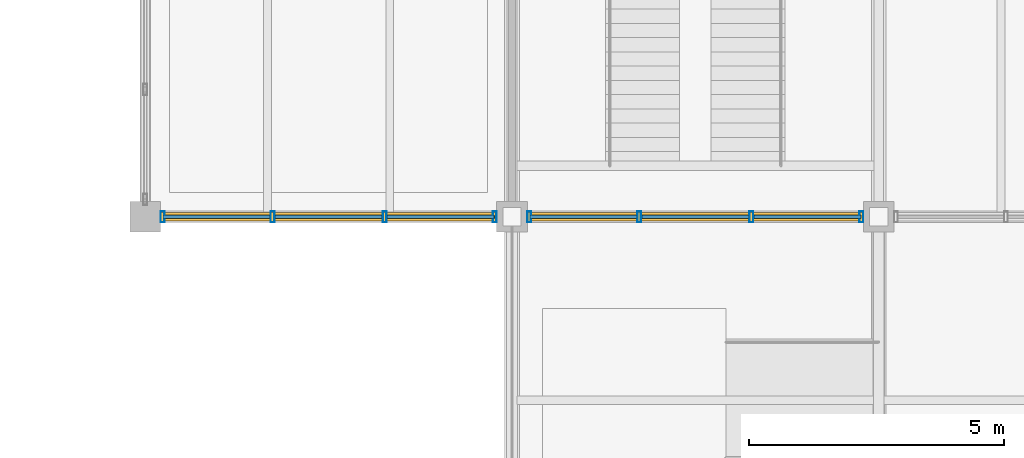
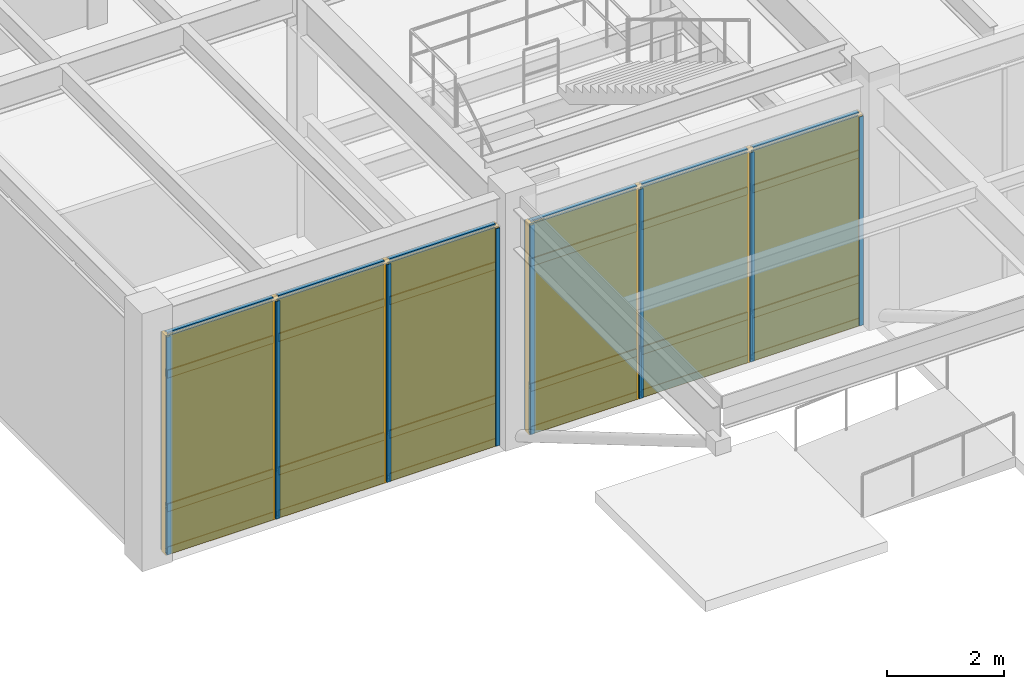
# One storey, part 53 of 97: 32 members, 12 plates, 2 curtain walls.
"""IFC4 building model written with IfcOpenShell, lengths in metres."""

from ifc_helpers import new_model, si_unit, direction, frame, origin, origin_2d, place, context, subcontext, project, spatial, rectangle, hollow_rectangle, extrude, material, layer, layer_set, material_profile, profile_set, type_object, element, aggregate, save


model = new_model("IFC4")

# Units and contexts
model_context = context("Model", 3, precision=1e-05, world=origin(), true_north=direction((0.0, 1.0)))
body_context = subcontext(model_context, "Body", "Model", "MODEL_VIEW")
ifc_project = project(units=[si_unit("LENGTHUNIT", "METRE"), si_unit("AREAUNIT", "SQUARE_METRE"), si_unit("VOLUMEUNIT", "CUBIC_METRE"), si_unit("PLANEANGLEUNIT", "RADIAN"), si_unit("MASSUNIT", "GRAM", prefix="KILO")], contexts=[model_context])

# Member
ifc_material_1 = material(Name="Anodized Aluminium 6063-T6", Category="aluminium")
ifc_material_profile_1 = material_profile(ifc_material_1, hollow_rectangle(XDim=0.074951171875, YDim=0.219970703125, WallThickness=0.0048828125, at=origin_2d()), Name="ALU 75x220x5")
ifc_profile_set_1 = profile_set([ifc_material_profile_1], Name="Anodized Aluminium 6063-T6")
member_type_1 = type_object("IfcMemberType", Name="CWM-75X180", PredefinedType="MULLION", material=ifc_profile_set_1)
site_placement = place(None, origin())
building_placement = place(site_placement, origin())
storey_placement = place(building_placement, origin())
member_1_placement = place(storey_placement, frame((71.659912109375, 7.199951171875, 0.02001953125), z_axis=(0.0, 0.0, 1.0), x_axis=(1.0, 0.0, 0.0)))
member_1 = element("IfcMember", 1, at=member_1_placement, type_object=member_type_1, Name="Curtain wall mullion CW-L01-09-01-S-00", PredefinedType="MULLION", context=body_context, shape_type="SweptSolid", body=[
    extrude(hollow_rectangle(XDim=0.074951171875, YDim=0.219970703125, WallThickness=0.0048828125, at=origin_2d()), origin(), (0.0, 0.0, 1.0), 4.557861328125),
])

member_2_placement = place(storey_placement, frame((69.5, 7.199951171875, 0.02001953125), z_axis=(0.0, 0.0, 1.0), x_axis=(1.0, 0.0, 0.0)))
member_2 = element("IfcMember", 2, at=member_2_placement, type_object=member_type_1, Name="Curtain wall mullion CW-L01-09-01-S-01", PredefinedType="MULLION", context=body_context, shape_type="SweptSolid", body=[
    extrude(hollow_rectangle(XDim=0.074951171875, YDim=0.219970703125, WallThickness=0.0048828125, at=origin_2d()), origin(), (0.0, 0.0, 1.0), 4.557861328125),
])

member_3_placement = place(storey_placement, frame((67.300048828125, 7.199951171875, 0.02001953125), z_axis=(0.0, 0.0, 1.0), x_axis=(1.0, 0.0, 0.0)))
member_3 = element("IfcMember", 3, at=member_3_placement, type_object=member_type_1, Name="Curtain wall mullion CW-L01-09-01-S-02", PredefinedType="MULLION", context=body_context, shape_type="SweptSolid", body=[
    extrude(hollow_rectangle(XDim=0.074951171875, YDim=0.219970703125, WallThickness=0.0048828125, at=origin_2d()), origin(), (0.0, 0.0, 1.0), 4.557861328125),
])

member_4_placement = place(storey_placement, frame((65.139892578125, 7.199951171875, 0.02001953125), z_axis=(0.0, 0.0, 1.0), x_axis=(1.0, 0.0, 0.0)))
member_4 = element("IfcMember", 4, at=member_4_placement, type_object=member_type_1, Name="Curtain wall mullion CW-L01-09-01-S-03", PredefinedType="MULLION", context=body_context, shape_type="SweptSolid", body=[
    extrude(hollow_rectangle(XDim=0.074951171875, YDim=0.219970703125, WallThickness=0.0048828125, at=origin_2d()), origin(), (0.0, 0.0, 1.0), 4.557861328125),
])

member_5_placement = place(storey_placement, frame((78.860107421875, 7.199951171875, 0.02001953125), z_axis=(0.0, 0.0, 1.0), x_axis=(1.0, 0.0, 0.0)))
member_5 = element("IfcMember", 5, at=member_5_placement, type_object=member_type_1, Name="Curtain wall mullion CW-L01-10-01-S-00", PredefinedType="MULLION", context=body_context, shape_type="SweptSolid", body=[
    extrude(hollow_rectangle(XDim=0.074951171875, YDim=0.219970703125, WallThickness=0.0048828125, at=origin_2d()), origin(), (0.0, 0.0, 1.0), 4.3779296875),
])

member_6_placement = place(storey_placement, frame((76.699951171875, 7.199951171875, 0.02001953125), z_axis=(0.0, 0.0, 1.0), x_axis=(1.0, 0.0, 0.0)))
member_6 = element("IfcMember", 6, at=member_6_placement, type_object=member_type_1, Name="Curtain wall mullion CW-L01-10-01-S-01", PredefinedType="MULLION", context=body_context, shape_type="SweptSolid", body=[
    extrude(hollow_rectangle(XDim=0.074951171875, YDim=0.219970703125, WallThickness=0.0048828125, at=origin_2d()), origin(), (0.0, 0.0, 1.0), 4.3779296875),
])

member_7_placement = place(storey_placement, frame((74.5, 7.199951171875, 0.02001953125), z_axis=(0.0, 0.0, 1.0), x_axis=(1.0, 0.0, 0.0)))
member_7 = element("IfcMember", 7, at=member_7_placement, type_object=member_type_1, Name="Curtain wall mullion CW-L01-10-01-S-02", PredefinedType="MULLION", context=body_context, shape_type="SweptSolid", body=[
    extrude(hollow_rectangle(XDim=0.074951171875, YDim=0.219970703125, WallThickness=0.0048828125, at=origin_2d()), origin(), (0.0, 0.0, 1.0), 4.3779296875),
])

member_8_placement = place(storey_placement, frame((72.340087890625, 7.199951171875, 0.02001953125), z_axis=(0.0, 0.0, 1.0), x_axis=(1.0, 0.0, 0.0)))
member_8 = element("IfcMember", 8, at=member_8_placement, type_object=member_type_1, Name="Curtain wall mullion CW-L01-10-01-S-03", PredefinedType="MULLION", context=body_context, shape_type="SweptSolid", body=[
    extrude(hollow_rectangle(XDim=0.074951171875, YDim=0.219970703125, WallThickness=0.0048828125, at=origin_2d()), origin(), (0.0, 0.0, 1.0), 4.3779296875),
])

ifc_material_profile_2 = material_profile(ifc_material_1, hollow_rectangle(XDim=0.074951171875, YDim=0.159912109375, WallThickness=0.00390625, at=origin_2d()), Name="ALU 75x160x4")
ifc_profile_set_2 = profile_set([ifc_material_profile_2], Name="Anodized Aluminium 6063-T6")
member_type_2 = type_object("IfcMemberType", Name="CWT-75X150", PredefinedType="USERDEFINED", material=ifc_profile_set_2)
member_9_placement = place(storey_placement, frame((71.64990234375, 7.199951171875, 0.050048828125), z_axis=(-1.0, 0.0, 0.0), x_axis=(0.0, -1.0, 0.0)))
member_9 = element("IfcMember", 9, at=member_9_placement, type_object=member_type_2, Name="Curtain wall transom CW-L01-09-01-S-1.01", ObjectType="TRANSOM", PredefinedType="USERDEFINED", context=body_context, shape_type="SweptSolid", body=[
    extrude(hollow_rectangle(XDim=0.074951171875, YDim=0.159912109375, WallThickness=0.00390625, at=origin_2d()), origin(), (0.0, 0.0, 1.0), 2.099853515625),
])

member_10_placement = place(storey_placement, frame((69.449951171875, 7.199951171875, 0.050048828125), z_axis=(-1.0, 0.0, 0.0), x_axis=(0.0, -1.0, 0.0)))
member_10 = element("IfcMember", 10, at=member_10_placement, type_object=member_type_2, Name="Curtain wall transom CW-L01-09-01-S-1.02", ObjectType="TRANSOM", PredefinedType="USERDEFINED", context=body_context, shape_type="SweptSolid", body=[
    extrude(hollow_rectangle(XDim=0.074951171875, YDim=0.159912109375, WallThickness=0.00390625, at=origin_2d()), origin(), (0.0, 0.0, 1.0), 2.099853515625),
])

member_11_placement = place(storey_placement, frame((67.25, 7.199951171875, 0.050048828125), z_axis=(-1.0, 0.0, 0.0), x_axis=(0.0, -1.0, 0.0)))
member_11 = element("IfcMember", 11, at=member_11_placement, type_object=member_type_2, Name="Curtain wall transom CW-L01-09-01-S-1.03", ObjectType="TRANSOM", PredefinedType="USERDEFINED", context=body_context, shape_type="SweptSolid", body=[
    extrude(hollow_rectangle(XDim=0.074951171875, YDim=0.159912109375, WallThickness=0.00390625, at=origin_2d()), origin(), (0.0, 0.0, 1.0), 2.10009765625),
])

member_12_placement = place(storey_placement, frame((71.64990234375, 7.199951171875, 0.949951171875), z_axis=(-1.0, 0.0, 0.0), x_axis=(0.0, -1.0, 0.0)))
member_12 = element("IfcMember", 12, at=member_12_placement, type_object=member_type_2, Name="Curtain wall transom CW-L01-09-01-S-2.01", ObjectType="TRANSOM", PredefinedType="USERDEFINED", context=body_context, shape_type="SweptSolid", body=[
    extrude(hollow_rectangle(XDim=0.074951171875, YDim=0.159912109375, WallThickness=0.00390625, at=origin_2d()), origin(), (0.0, 0.0, 1.0), 2.099853515625),
])

member_13_placement = place(storey_placement, frame((69.449951171875, 7.199951171875, 0.949951171875), z_axis=(-1.0, 0.0, 0.0), x_axis=(0.0, -1.0, 0.0)))
member_13 = element("IfcMember", 13, at=member_13_placement, type_object=member_type_2, Name="Curtain wall transom CW-L01-09-01-S-2.02", ObjectType="TRANSOM", PredefinedType="USERDEFINED", context=body_context, shape_type="SweptSolid", body=[
    extrude(hollow_rectangle(XDim=0.074951171875, YDim=0.159912109375, WallThickness=0.00390625, at=origin_2d()), origin(), (0.0, 0.0, 1.0), 2.099853515625),
])

member_14_placement = place(storey_placement, frame((67.25, 7.199951171875, 0.949951171875), z_axis=(-1.0, 0.0, 0.0), x_axis=(0.0, -1.0, 0.0)))
member_14 = element("IfcMember", 14, at=member_14_placement, type_object=member_type_2, Name="Curtain wall transom CW-L01-09-01-S-2.03", ObjectType="TRANSOM", PredefinedType="USERDEFINED", context=body_context, shape_type="SweptSolid", body=[
    extrude(hollow_rectangle(XDim=0.074951171875, YDim=0.159912109375, WallThickness=0.00390625, at=origin_2d()), origin(), (0.0, 0.0, 1.0), 2.10009765625),
])

member_15_placement = place(storey_placement, frame((71.64990234375, 7.199951171875, 3.748046875), z_axis=(-1.0, 0.0, 0.0), x_axis=(0.0, -1.0, 0.0)))
member_15 = element("IfcMember", 15, at=member_15_placement, type_object=member_type_2, Name="Curtain wall transom CW-L01-09-01-S-3.01", ObjectType="TRANSOM", PredefinedType="USERDEFINED", context=body_context, shape_type="SweptSolid", body=[
    extrude(hollow_rectangle(XDim=0.074951171875, YDim=0.159912109375, WallThickness=0.00390625, at=origin_2d()), origin(), (0.0, 0.0, 1.0), 2.099853515625),
])

member_16_placement = place(storey_placement, frame((69.449951171875, 7.199951171875, 3.748046875), z_axis=(-1.0, 0.0, 0.0), x_axis=(0.0, -1.0, 0.0)))
member_16 = element("IfcMember", 16, at=member_16_placement, type_object=member_type_2, Name="Curtain wall transom CW-L01-09-01-S-3.02", ObjectType="TRANSOM", PredefinedType="USERDEFINED", context=body_context, shape_type="SweptSolid", body=[
    extrude(hollow_rectangle(XDim=0.074951171875, YDim=0.159912109375, WallThickness=0.00390625, at=origin_2d()), origin(), (0.0, 0.0, 1.0), 2.099853515625),
])

member_17_placement = place(storey_placement, frame((67.25, 7.199951171875, 3.748046875), z_axis=(-1.0, 0.0, 0.0), x_axis=(0.0, -1.0, 0.0)))
member_17 = element("IfcMember", 17, at=member_17_placement, type_object=member_type_2, Name="Curtain wall transom CW-L01-09-01-S-3.03", ObjectType="TRANSOM", PredefinedType="USERDEFINED", context=body_context, shape_type="SweptSolid", body=[
    extrude(hollow_rectangle(XDim=0.074951171875, YDim=0.159912109375, WallThickness=0.00390625, at=origin_2d()), origin(), (0.0, 0.0, 1.0), 2.10009765625),
])

member_18_placement = place(storey_placement, frame((71.64990234375, 7.199951171875, 4.548095703125), z_axis=(-1.0, 0.0, 0.0), x_axis=(0.0, -1.0, 0.0)))
member_18 = element("IfcMember", 18, at=member_18_placement, type_object=member_type_2, Name="Curtain wall transom CW-L01-09-01-S-4.01", ObjectType="TRANSOM", PredefinedType="USERDEFINED", context=body_context, shape_type="SweptSolid", body=[
    extrude(hollow_rectangle(XDim=0.074951171875, YDim=0.159912109375, WallThickness=0.00390625, at=origin_2d()), origin(), (0.0, 0.0, 1.0), 2.099853515625),
])

member_19_placement = place(storey_placement, frame((69.449951171875, 7.199951171875, 4.548095703125), z_axis=(-1.0, 0.0, 0.0), x_axis=(0.0, -1.0, 0.0)))
member_19 = element("IfcMember", 19, at=member_19_placement, type_object=member_type_2, Name="Curtain wall transom CW-L01-09-01-S-4.02", ObjectType="TRANSOM", PredefinedType="USERDEFINED", context=body_context, shape_type="SweptSolid", body=[
    extrude(hollow_rectangle(XDim=0.074951171875, YDim=0.159912109375, WallThickness=0.00390625, at=origin_2d()), origin(), (0.0, 0.0, 1.0), 2.099853515625),
])

member_20_placement = place(storey_placement, frame((67.25, 7.199951171875, 4.548095703125), z_axis=(-1.0, 0.0, 0.0), x_axis=(0.0, -1.0, 0.0)))
member_20 = element("IfcMember", 20, at=member_20_placement, type_object=member_type_2, Name="Curtain wall transom CW-L01-09-01-S-4.03", ObjectType="TRANSOM", PredefinedType="USERDEFINED", context=body_context, shape_type="SweptSolid", body=[
    extrude(hollow_rectangle(XDim=0.074951171875, YDim=0.159912109375, WallThickness=0.00390625, at=origin_2d()), origin(), (0.0, 0.0, 1.0), 2.10009765625),
])

member_21_placement = place(storey_placement, frame((78.85009765625, 7.199951171875, 0.050048828125), z_axis=(-1.0, 0.0, 0.0), x_axis=(0.0, -1.0, 0.0)))
member_21 = element("IfcMember", 21, at=member_21_placement, type_object=member_type_2, Name="Curtain wall transom CW-L01-10-01-S-1.01", ObjectType="TRANSOM", PredefinedType="USERDEFINED", context=body_context, shape_type="SweptSolid", body=[
    extrude(hollow_rectangle(XDim=0.074951171875, YDim=0.159912109375, WallThickness=0.00390625, at=origin_2d()), origin(), (0.0, 0.0, 1.0), 2.10009765625),
])

member_22_placement = place(storey_placement, frame((76.64990234375, 7.199951171875, 0.050048828125), z_axis=(-1.0, 0.0, 0.0), x_axis=(0.0, -1.0, 0.0)))
member_22 = element("IfcMember", 22, at=member_22_placement, type_object=member_type_2, Name="Curtain wall transom CW-L01-10-01-S-1.02", ObjectType="TRANSOM", PredefinedType="USERDEFINED", context=body_context, shape_type="SweptSolid", body=[
    extrude(hollow_rectangle(XDim=0.074951171875, YDim=0.159912109375, WallThickness=0.00390625, at=origin_2d()), origin(), (0.0, 0.0, 1.0), 2.099853515625),
])

member_23_placement = place(storey_placement, frame((74.449951171875, 7.199951171875, 0.050048828125), z_axis=(-1.0, 0.0, 0.0), x_axis=(0.0, -1.0, 0.0)))
member_23 = element("IfcMember", 23, at=member_23_placement, type_object=member_type_2, Name="Curtain wall transom CW-L01-10-01-S-1.03", ObjectType="TRANSOM", PredefinedType="USERDEFINED", context=body_context, shape_type="SweptSolid", body=[
    extrude(hollow_rectangle(XDim=0.074951171875, YDim=0.159912109375, WallThickness=0.00390625, at=origin_2d()), origin(), (0.0, 0.0, 1.0), 2.099853515625),
])

member_24_placement = place(storey_placement, frame((78.85009765625, 7.199951171875, 0.949951171875), z_axis=(-1.0, 0.0, 0.0), x_axis=(0.0, -1.0, 0.0)))
member_24 = element("IfcMember", 24, at=member_24_placement, type_object=member_type_2, Name="Curtain wall transom CW-L01-10-01-S-2.01", ObjectType="TRANSOM", PredefinedType="USERDEFINED", context=body_context, shape_type="SweptSolid", body=[
    extrude(hollow_rectangle(XDim=0.074951171875, YDim=0.159912109375, WallThickness=0.00390625, at=origin_2d()), origin(), (0.0, 0.0, 1.0), 2.10009765625),
])

member_25_placement = place(storey_placement, frame((76.64990234375, 7.199951171875, 0.949951171875), z_axis=(-1.0, 0.0, 0.0), x_axis=(0.0, -1.0, 0.0)))
member_25 = element("IfcMember", 25, at=member_25_placement, type_object=member_type_2, Name="Curtain wall transom CW-L01-10-01-S-2.02", ObjectType="TRANSOM", PredefinedType="USERDEFINED", context=body_context, shape_type="SweptSolid", body=[
    extrude(hollow_rectangle(XDim=0.074951171875, YDim=0.159912109375, WallThickness=0.00390625, at=origin_2d()), origin(), (0.0, 0.0, 1.0), 2.099853515625),
])

member_26_placement = place(storey_placement, frame((74.449951171875, 7.199951171875, 0.949951171875), z_axis=(-1.0, 0.0, 0.0), x_axis=(0.0, -1.0, 0.0)))
member_26 = element("IfcMember", 26, at=member_26_placement, type_object=member_type_2, Name="Curtain wall transom CW-L01-10-01-S-2.03", ObjectType="TRANSOM", PredefinedType="USERDEFINED", context=body_context, shape_type="SweptSolid", body=[
    extrude(hollow_rectangle(XDim=0.074951171875, YDim=0.159912109375, WallThickness=0.00390625, at=origin_2d()), origin(), (0.0, 0.0, 1.0), 2.099853515625),
])

member_27_placement = place(storey_placement, frame((78.85009765625, 7.199951171875, 3.568115234375), z_axis=(-1.0, 0.0, 0.0), x_axis=(0.0, -1.0, 0.0)))
member_27 = element("IfcMember", 27, at=member_27_placement, type_object=member_type_2, Name="Curtain wall transom CW-L01-10-01-S-3.01", ObjectType="TRANSOM", PredefinedType="USERDEFINED", context=body_context, shape_type="SweptSolid", body=[
    extrude(hollow_rectangle(XDim=0.074951171875, YDim=0.159912109375, WallThickness=0.00390625, at=origin_2d()), origin(), (0.0, 0.0, 1.0), 2.10009765625),
])

member_28_placement = place(storey_placement, frame((76.64990234375, 7.199951171875, 3.568115234375), z_axis=(-1.0, 0.0, 0.0), x_axis=(0.0, -1.0, 0.0)))
member_28 = element("IfcMember", 28, at=member_28_placement, type_object=member_type_2, Name="Curtain wall transom CW-L01-10-01-S-3.02", ObjectType="TRANSOM", PredefinedType="USERDEFINED", context=body_context, shape_type="SweptSolid", body=[
    extrude(hollow_rectangle(XDim=0.074951171875, YDim=0.159912109375, WallThickness=0.00390625, at=origin_2d()), origin(), (0.0, 0.0, 1.0), 2.099853515625),
])

member_29_placement = place(storey_placement, frame((74.449951171875, 7.199951171875, 3.568115234375), z_axis=(-1.0, 0.0, 0.0), x_axis=(0.0, -1.0, 0.0)))
member_29 = element("IfcMember", 29, at=member_29_placement, type_object=member_type_2, Name="Curtain wall transom CW-L01-10-01-S-3.03", ObjectType="TRANSOM", PredefinedType="USERDEFINED", context=body_context, shape_type="SweptSolid", body=[
    extrude(hollow_rectangle(XDim=0.074951171875, YDim=0.159912109375, WallThickness=0.00390625, at=origin_2d()), origin(), (0.0, 0.0, 1.0), 2.099853515625),
])

member_30_placement = place(storey_placement, frame((78.85009765625, 7.199951171875, 4.367919921875), z_axis=(-1.0, 0.0, 0.0), x_axis=(0.0, -1.0, 0.0)))
member_30 = element("IfcMember", 30, at=member_30_placement, type_object=member_type_2, Name="Curtain wall transom CW-L01-10-01-S-4.01", ObjectType="TRANSOM", PredefinedType="USERDEFINED", context=body_context, shape_type="SweptSolid", body=[
    extrude(hollow_rectangle(XDim=0.074951171875, YDim=0.159912109375, WallThickness=0.00390625, at=origin_2d()), origin(), (0.0, 0.0, 1.0), 2.10009765625),
])

member_31_placement = place(storey_placement, frame((76.64990234375, 7.199951171875, 4.367919921875), z_axis=(-1.0, 0.0, 0.0), x_axis=(0.0, -1.0, 0.0)))
member_31 = element("IfcMember", 31, at=member_31_placement, type_object=member_type_2, Name="Curtain wall transom CW-L01-10-01-S-4.02", ObjectType="TRANSOM", PredefinedType="USERDEFINED", context=body_context, shape_type="SweptSolid", body=[
    extrude(hollow_rectangle(XDim=0.074951171875, YDim=0.159912109375, WallThickness=0.00390625, at=origin_2d()), origin(), (0.0, 0.0, 1.0), 2.099853515625),
])

member_32_placement = place(storey_placement, frame((74.449951171875, 7.199951171875, 4.367919921875), z_axis=(-1.0, 0.0, 0.0), x_axis=(0.0, -1.0, 0.0)))
member_32 = element("IfcMember", 32, at=member_32_placement, type_object=member_type_2, Name="Curtain wall transom CW-L01-10-01-S-4.03", ObjectType="TRANSOM", PredefinedType="USERDEFINED", context=body_context, shape_type="SweptSolid", body=[
    extrude(hollow_rectangle(XDim=0.074951171875, YDim=0.159912109375, WallThickness=0.00390625, at=origin_2d()), origin(), (0.0, 0.0, 1.0), 2.099853515625),
])

# Plate
ifc_material_2 = material(Name="Acoustic Laminated Low-E Glazing", Category="glass")
ifc_layer_1 = layer(ifc_material_2, 0.0439453125)
ifc_layer_set_1 = layer_set([ifc_layer_1], Name="Acoustic Laminated Low-E Glazing")
plate_type_1 = type_object("IfcPlateType", Name="CWP-IGU-44", PredefinedType="CURTAIN_PANEL", material=ifc_layer_set_1)
plate_1_placement = place(storey_placement, frame((70.60009765625, 7.199951171875, 0.98974609375), z_axis=(0.0, 0.0, 1.0), x_axis=(-1.0, 0.0, 0.0)))
plate_1 = element("IfcPlate", 33, at=plate_1_placement, type_object=plate_type_1, Name="Curtain wall vision glazing CW-L01-09-01-S-01", PredefinedType="CURTAIN_PANEL", context=body_context, shape_type="SweptSolid", body=[
    extrude(rectangle(XDim=2.110107421875, YDim=0.0400390625, at=origin_2d()), origin(), (0.0, 0.0, 1.0), 3.548095703125),
])

plate_2_placement = place(storey_placement, frame((68.39990234375, 7.199951171875, 0.98974609375), z_axis=(0.0, 0.0, 1.0), x_axis=(-1.0, 0.0, 0.0)))
plate_2 = element("IfcPlate", 34, at=plate_2_placement, type_object=plate_type_1, Name="Curtain wall vision glazing CW-L01-09-01-S-02", PredefinedType="CURTAIN_PANEL", context=body_context, shape_type="SweptSolid", body=[
    extrude(rectangle(XDim=2.110107421875, YDim=0.0400390625, at=origin_2d()), origin(), (0.0, 0.0, 1.0), 3.548095703125),
])

plate_3_placement = place(storey_placement, frame((66.199951171875, 7.199951171875, 0.98974609375), z_axis=(0.0, 0.0, 1.0), x_axis=(-1.0, 0.0, 0.0)))
plate_3 = element("IfcPlate", 35, at=plate_3_placement, type_object=plate_type_1, Name="Curtain wall vision glazing CW-L01-09-01-S-03", PredefinedType="CURTAIN_PANEL", context=body_context, shape_type="SweptSolid", body=[
    extrude(rectangle(XDim=2.110107421875, YDim=0.0400390625, at=origin_2d()), origin(), (0.0, 0.0, 1.0), 3.548095703125),
])

plate_4_placement = place(storey_placement, frame((77.800048828125, 7.199951171875, 0.990234375), z_axis=(0.0, 0.0, 1.0), x_axis=(-1.0, 0.0, 0.0)))
plate_4 = element("IfcPlate", 36, at=plate_4_placement, type_object=plate_type_1, Name="Curtain wall vision glazing CW-L01-10-01-S-01", PredefinedType="CURTAIN_PANEL", context=body_context, shape_type="SweptSolid", body=[
    extrude(rectangle(XDim=2.110107421875, YDim=0.0400390625, at=origin_2d()), origin(), (0.0, 0.0, 1.0), 3.367919921875),
])

plate_5_placement = place(storey_placement, frame((75.60009765625, 7.199951171875, 0.990234375), z_axis=(0.0, 0.0, 1.0), x_axis=(-1.0, 0.0, 0.0)))
plate_5 = element("IfcPlate", 37, at=plate_5_placement, type_object=plate_type_1, Name="Curtain wall vision glazing CW-L01-10-01-S-02", PredefinedType="CURTAIN_PANEL", context=body_context, shape_type="SweptSolid", body=[
    extrude(rectangle(XDim=2.110107421875, YDim=0.0400390625, at=origin_2d()), origin(), (0.0, 0.0, 1.0), 3.367919921875),
])

plate_6_placement = place(storey_placement, frame((73.39990234375, 7.199951171875, 0.990234375), z_axis=(0.0, 0.0, 1.0), x_axis=(-1.0, 0.0, 0.0)))
plate_6 = element("IfcPlate", 38, at=plate_6_placement, type_object=plate_type_1, Name="Curtain wall vision glazing CW-L01-10-01-S-03", PredefinedType="CURTAIN_PANEL", context=body_context, shape_type="SweptSolid", body=[
    extrude(rectangle(XDim=2.110107421875, YDim=0.0400390625, at=origin_2d()), origin(), (0.0, 0.0, 1.0), 3.367919921875),
])

ifc_material_3 = material(Name="Insulated Stone-Composite Spandrel", Category="masonry")
ifc_layer_2 = layer(ifc_material_3, 0.068115234375)
ifc_layer_set_2 = layer_set([ifc_layer_2], Name="Insulated Stone-Composite Spandrel")
plate_type_2 = type_object("IfcPlateType", Name="CWP-SPN-68", PredefinedType="CURTAIN_PANEL", material=ifc_layer_set_2)
plate_7_placement = place(storey_placement, frame((70.60009765625, 7.199951171875, 0.080078125), z_axis=(0.0, 0.0, 1.0), x_axis=(-1.0, 0.0, 0.0)))
plate_7 = element("IfcPlate", 39, at=plate_7_placement, type_object=plate_type_2, Name="Curtain wall spandrel panel CW-L01-09-01-S-01", PredefinedType="CURTAIN_PANEL", context=body_context, shape_type="SweptSolid", body=[
    extrude(rectangle(XDim=2.110107421875, YDim=0.06005859375, at=origin_2d()), origin(), (0.0, 0.0, 1.0), 0.840087890625),
])

plate_8_placement = place(storey_placement, frame((68.39990234375, 7.199951171875, 0.080078125), z_axis=(0.0, 0.0, 1.0), x_axis=(-1.0, 0.0, 0.0)))
plate_8 = element("IfcPlate", 40, at=plate_8_placement, type_object=plate_type_2, Name="Curtain wall spandrel panel CW-L01-09-01-S-02", PredefinedType="CURTAIN_PANEL", context=body_context, shape_type="SweptSolid", body=[
    extrude(rectangle(XDim=2.110107421875, YDim=0.06005859375, at=origin_2d()), origin(), (0.0, 0.0, 1.0), 0.840087890625),
])

plate_9_placement = place(storey_placement, frame((66.199951171875, 7.199951171875, 0.080078125), z_axis=(0.0, 0.0, 1.0), x_axis=(-1.0, 0.0, 0.0)))
plate_9 = element("IfcPlate", 41, at=plate_9_placement, type_object=plate_type_2, Name="Curtain wall spandrel panel CW-L01-09-01-S-03", PredefinedType="CURTAIN_PANEL", context=body_context, shape_type="SweptSolid", body=[
    extrude(rectangle(XDim=2.110107421875, YDim=0.06005859375, at=origin_2d()), origin(), (0.0, 0.0, 1.0), 0.840087890625),
])

plate_10_placement = place(storey_placement, frame((77.800048828125, 7.199951171875, 0.080078125), z_axis=(0.0, 0.0, 1.0), x_axis=(-1.0, 0.0, 0.0)))
plate_10 = element("IfcPlate", 42, at=plate_10_placement, type_object=plate_type_2, Name="Curtain wall spandrel panel CW-L01-10-01-S-01", PredefinedType="CURTAIN_PANEL", context=body_context, shape_type="SweptSolid", body=[
    extrude(rectangle(XDim=2.110107421875, YDim=0.06005859375, at=origin_2d()), origin(), (0.0, 0.0, 1.0), 0.840087890625),
])

plate_11_placement = place(storey_placement, frame((75.60009765625, 7.199951171875, 0.080078125), z_axis=(0.0, 0.0, 1.0), x_axis=(-1.0, 0.0, 0.0)))
plate_11 = element("IfcPlate", 43, at=plate_11_placement, type_object=plate_type_2, Name="Curtain wall spandrel panel CW-L01-10-01-S-02", PredefinedType="CURTAIN_PANEL", context=body_context, shape_type="SweptSolid", body=[
    extrude(rectangle(XDim=2.110107421875, YDim=0.06005859375, at=origin_2d()), origin(), (0.0, 0.0, 1.0), 0.840087890625),
])

plate_12_placement = place(storey_placement, frame((73.39990234375, 7.199951171875, 0.080078125), z_axis=(0.0, 0.0, 1.0), x_axis=(-1.0, 0.0, 0.0)))
plate_12 = element("IfcPlate", 44, at=plate_12_placement, type_object=plate_type_2, Name="Curtain wall spandrel panel CW-L01-10-01-S-03", PredefinedType="CURTAIN_PANEL", context=body_context, shape_type="SweptSolid", body=[
    extrude(rectangle(XDim=2.110107421875, YDim=0.06005859375, at=origin_2d()), origin(), (0.0, 0.0, 1.0), 0.840087890625),
])

# Site, building, storey
site = spatial("IfcSite", under=ifc_project, at=site_placement, CompositionType="ELEMENT")
building = spatial("IfcBuilding", under=site, at=building_placement, Name="Sillqori Civic Hall", CompositionType="ELEMENT")
storey = spatial("IfcBuildingStorey", under=building, at=storey_placement, Name="L01", CompositionType="ELEMENT", Elevation=0.0)

# Curtain wall
ifc_material_4 = material(Name="Anodized Aluminium Curtain Wall System", Category="aluminium")
curtain_wall_type = type_object("IfcCurtainWallType", Name="CW-SF-480", PredefinedType="NOTDEFINED", material=ifc_material_4)
curtain_wall_1_placement = place(storey_placement, frame((68.39990234375, 7.199951171875, 0.0), z_axis=(0.0, 0.0, 1.0), x_axis=(-1.0, 0.0, 0.0)))
curtain_wall_1 = element("IfcCurtainWall", 45, at=curtain_wall_1_placement, inside=storey, type_object=curtain_wall_type, Name="L01 unitised curtain wall CW-L01-09-01-S", PredefinedType="NOTDEFINED", context=body_context, shape_type="SweptSolid", body=[
    extrude(rectangle(XDim=6.60009765625, YDim=0.159912109375, at=origin_2d()), origin(), (0.0, 0.0, 1.0), 4.597900390625),
])

aggregate(curtain_wall_1, [member_1, member_2, member_3, member_4, member_9, member_10, member_11, member_12, member_13, member_14, member_15, member_16, member_17, member_18, member_19, member_20, plate_7, plate_1, plate_8, plate_2, plate_9, plate_3])

curtain_wall_2_placement = place(storey_placement, frame((75.60009765625, 7.199951171875, 0.0), z_axis=(0.0, 0.0, 1.0), x_axis=(-1.0, 0.0, 0.0)))
curtain_wall_2 = element("IfcCurtainWall", 46, at=curtain_wall_2_placement, inside=storey, type_object=curtain_wall_type, Name="L01 unitised curtain wall CW-L01-10-01-S", PredefinedType="NOTDEFINED", context=body_context, shape_type="SweptSolid", body=[
    extrude(rectangle(XDim=6.60009765625, YDim=0.159912109375, at=origin_2d()), origin(), (0.0, 0.0, 1.0), 4.41796875),
])

aggregate(curtain_wall_2, [member_5, member_6, member_7, member_8, member_21, member_22, member_23, member_24, member_25, member_26, member_27, member_28, member_29, member_30, member_31, member_32, plate_10, plate_4, plate_11, plate_5, plate_12, plate_6])

save(model, "model.ifc")
